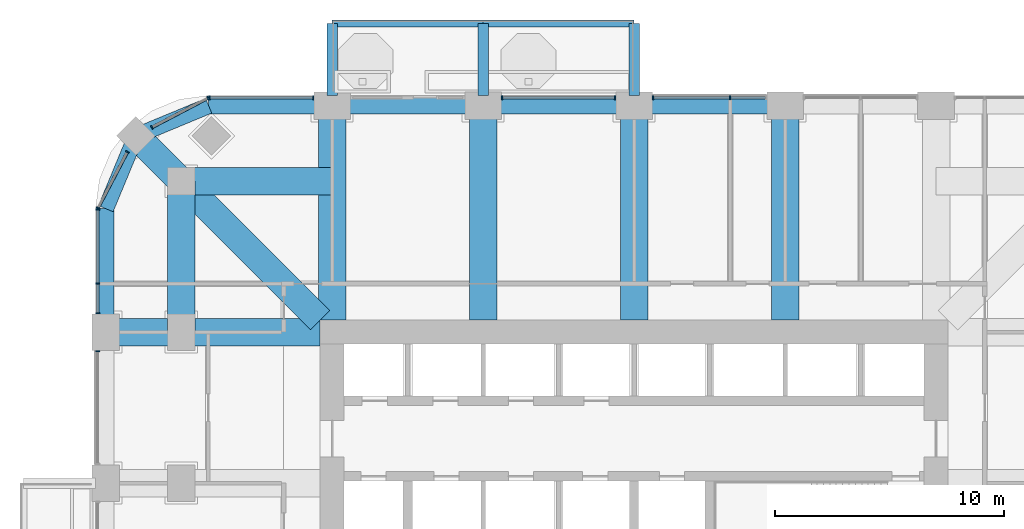
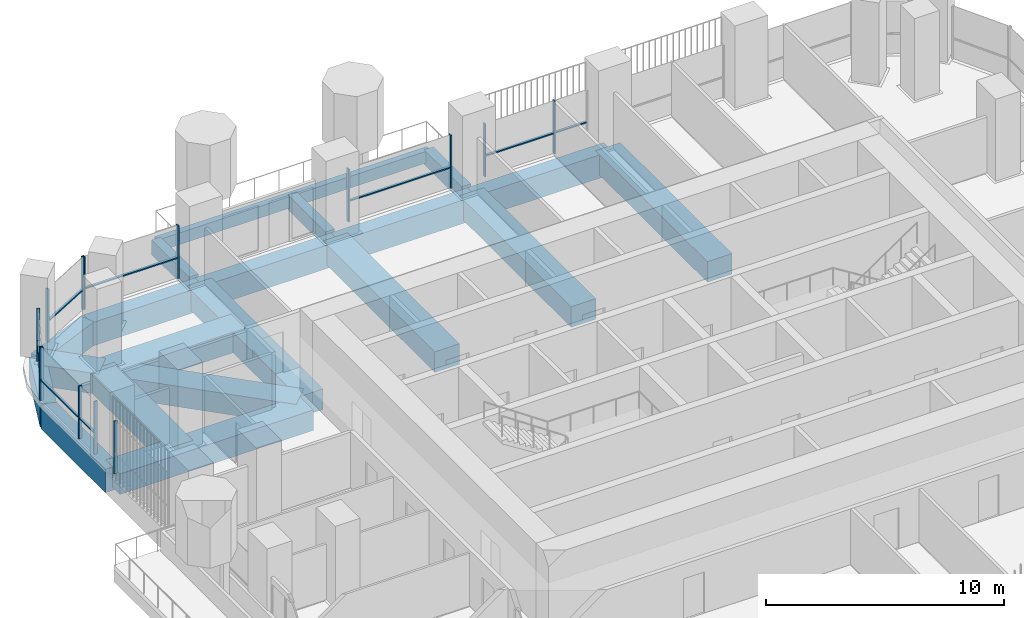
# One storey, part 6 of 20: 22 members, 21 beams, 7 elements without a shape of their own.
"""IFC4 building model written with IfcOpenShell, lengths in metres."""

import ifcopenshell
import ifcopenshell.guid

model = None  # the IFC model being written
_history = None  # IfcOwnerHistory: only IFC2X3 demands one
_inside = {}  # id of a spatial element -> (the spatial element, [elements in it])
_under = {}  # id of a project, library or spatial element -> (it, [spatial elements below it])
_declared = {}  # id of a project -> (the project, [libraries it declares])
_typed = {}  # id of a type object -> (the type object, [elements of that type])
_made_of = {}  # id of a material, layer set ... -> (it, [elements and type objects made of it])


def new_model(schema):
    """Start an empty IFC model of exactly this schema.

    Asked for "IFC4X3", IfcOpenShell would pick the latest addendum, in which some entities
    have other attributes; the version numbers below select the first issue.
    IFC2X3 requires an IfcOwnerHistory on every rooted entity: one is made here for all.
    """
    global model, _history
    if schema == "IFC4X3":
        model = ifcopenshell.file(schema_version=(4, 3, 0, 0))
    else:
        model = ifcopenshell.file(schema=schema)
    _inside.clear()
    _under.clear()
    _declared.clear()
    _typed.clear()
    _made_of.clear()
    _history = None
    if model.schema == "IFC2X3":
        org = make("IfcOrganization", Name="unknown")
        user = make(
            "IfcPersonAndOrganization",
            ThePerson=make("IfcPerson", FamilyName="unknown"),
            TheOrganization=org,
        )
        app = make(
            "IfcApplication",
            ApplicationDeveloper=org,
            Version="unknown",
            ApplicationFullName="unknown",
            ApplicationIdentifier="unknown",
        )
        _history = make(
            "IfcOwnerHistory",
            OwningUser=user,
            OwningApplication=app,
            ChangeAction="ADDED",
            CreationDate=0,
        )
    return model


def make(cls, **values):
    """One entity of the class cls with the attributes given. An attribute that is None is left unset."""
    return model.create_entity(
        cls, **{name: value for name, value in values.items() if value is not None}
    )


def rooted(cls, **values):
    """An entity with a GlobalId (a new one), such as an element, a storey or a relation."""
    return make(cls, GlobalId=ifcopenshell.guid.new(), OwnerHistory=_history, **values)


def si_unit(unit_type, name, prefix=None):
    """IfcSIUnit, for example si_unit("LENGTHUNIT", "METRE", prefix="MILLI")."""
    return make("IfcSIUnit", UnitType=unit_type, Prefix=prefix, Name=name)


def assignment(units):
    """IfcUnitAssignment: the units of a project."""
    return None if units is None else make("IfcUnitAssignment", Units=units)


def point(xyz):
    """IfcCartesianPoint."""
    return None if xyz is None else make("IfcCartesianPoint", Coordinates=xyz)


def direction(xyz):
    """IfcDirection."""
    return None if xyz is None else make("IfcDirection", DirectionRatios=xyz)


def frame(location, z_axis=None, x_axis=None):
    """IfcAxis2Placement3D, a coordinate frame: its origin and axes. An axis left out is left unset."""
    return make(
        "IfcAxis2Placement3D",
        Location=point(location),
        Axis=direction(z_axis),
        RefDirection=direction(x_axis),
    )


def frame_2d(location, x_axis=None):
    """IfcAxis2Placement2D, a coordinate frame in the plane: its origin and x axis."""
    return make(
        "IfcAxis2Placement2D", Location=point(location), RefDirection=direction(x_axis)
    )


def origin():
    """The frame at (0, 0, 0) with its axes left unset."""
    return frame((0.0, 0.0, 0.0))


def origin_2d():
    """The frame at (0, 0) in the plane with its x axis left unset."""
    return frame_2d((0.0, 0.0))


def place(relative_to, where):
    """IfcLocalPlacement: puts the frame where relative to a parent placement (None: the world)."""
    return make(
        "IfcLocalPlacement", PlacementRelTo=relative_to, RelativePlacement=where
    )


def context(
    kind, dimensions, precision=None, world=None, true_north=None, identifier=None
):
    """IfcGeometricRepresentationContext, for example the 3D "Model" context."""
    return make(
        "IfcGeometricRepresentationContext",
        ContextIdentifier=identifier,
        ContextType=kind,
        CoordinateSpaceDimension=dimensions,
        Precision=precision,
        WorldCoordinateSystem=world,
        TrueNorth=true_north,
    )


def subcontext(parent, identifier, kind, view, scale=None):
    """IfcGeometricRepresentationSubContext, for example "Body" below "Model"."""
    return make(
        "IfcGeometricRepresentationSubContext",
        ContextIdentifier=identifier,
        ContextType=kind,
        ParentContext=parent,
        TargetScale=scale,
        TargetView=view,
    )


def project(units=None, contexts=None):
    """IfcProject with its units and contexts."""
    return rooted(
        "IfcProject",
        Name="project",
        RepresentationContexts=contexts,
        UnitsInContext=assignment(units),
    )


def spatial(cls, under=None, at=None, **own):
    """A site, building, storey or space (cls), placed at a placement, below another one or the project."""
    s = rooted(cls, ObjectPlacement=at, **own)
    if under is not None:
        _under.setdefault(under.id(), (under, []))[1].append(s)
    return s


def profile(cls, at=None, kind="AREA", **sizes):
    """A parametric profile (cls). Its sizes go by their IFC names, for example OverallWidth=200.0."""
    return make(cls, ProfileType=kind, Position=at, **sizes)


def rectangle(**sizes):
    """IfcRectangleProfileDef."""
    return profile("IfcRectangleProfileDef", **sizes)


def extrude(swept, where, along, depth):
    """IfcExtrudedAreaSolid: the profile swept, set in the frame where, extruded along a direction by depth."""
    return make(
        "IfcExtrudedAreaSolid",
        SweptArea=swept,
        Position=where,
        ExtrudedDirection=direction(along),
        Depth=depth,
    )


def shape(context_of_items, identifier, shape_type, items):
    """IfcShapeRepresentation: the items that make up one representation, for example the "Body"."""
    return make(
        "IfcShapeRepresentation",
        ContextOfItems=context_of_items,
        RepresentationIdentifier=identifier,
        RepresentationType=shape_type,
        Items=items,
    )


def material(Name=None, Category=None):
    """IfcMaterial."""
    return make("IfcMaterial", Name=Name, Category=Category)


def material_profile(
    of_material, cross_section, Name=None, Category=None, Priority=None
):
    """IfcMaterialProfile: a cross section and its material."""
    return make(
        "IfcMaterialProfile",
        Name=Name,
        Material=of_material,
        Profile=cross_section,
        Priority=Priority,
        Category=Category,
    )


def profile_set(profiles, Name=None, composite=None):
    """IfcMaterialProfileSet."""
    return make(
        "IfcMaterialProfileSet",
        Name=Name,
        MaterialProfiles=profiles,
        CompositeProfile=composite,
    )


def made_of(thing, what):
    """Note that an element or type object is made of a material, layer set ...; save() writes the relation."""
    if what is not None:
        _made_of.setdefault(what.id(), (what, []))[1].append(thing)
    return thing


def type_object(cls, material=None, **own):
    """A type object (cls), such as IfcWallType, which elements share."""
    return made_of(rooted(cls, **own), material)


def element(
    cls,
    number,
    at=None,
    inside=None,
    cuts=None,
    type_object=None,
    material=None,
    context=None,
    identifier="Body",
    shape_type=None,
    held_by="IfcProductDefinitionShape",
    body=None,
    shapes=None,
    **own,
):
    """One element of the class cls, such as IfcWall. Its Tag is "e" and its number.

    at: its placement. inside: the storey or other place that contains it. cuts: it is an
    opening in that element (IfcRelVoidsElement). A single representation is given by context,
    identifier, shape_type and body (its items); several are given by shapes. held_by: the class
    of the entity that holds the representations. save() writes the other relations.
    """
    e = rooted(cls, Tag="e%d" % number, ObjectPlacement=at, **own)
    if body is not None:
        shapes = [shape(context, identifier, shape_type, body)]
    if shapes is not None:
        e.Representation = make(held_by, Representations=shapes)
    if inside is not None:
        _inside.setdefault(inside.id(), (inside, []))[1].append(e)
    if cuts is not None:
        rooted(
            "IfcRelVoidsElement", RelatingBuildingElement=cuts, RelatedOpeningElement=e
        )
    if type_object is not None:
        _typed.setdefault(type_object.id(), (type_object, []))[1].append(e)
    return made_of(e, material)


def aggregate(whole, parts):
    """IfcRelAggregates: a whole, such as a stair, and the parts it consists of."""
    return rooted("IfcRelAggregates", RelatingObject=whole, RelatedObjects=parts)


def save(model, path):
    """Write the relations noted so far, then the file.

    IfcRelAggregates (storeys below a building ...), IfcRelContainedInSpatialStructure (elements
    in a storey), IfcRelDefinesByType, IfcRelAssociatesMaterial and IfcRelDeclares: one each for
    every whole, place, type object, material and project.
    """
    for whole, parts in _under.values():
        aggregate(whole, parts)
    for where, things in _inside.values():
        rooted(
            "IfcRelContainedInSpatialStructure",
            RelatedElements=things,
            RelatingStructure=where,
        )
    for kind, things in _typed.values():
        rooted("IfcRelDefinesByType", RelatedObjects=things, RelatingType=kind)
    for what, things in _made_of.values():
        rooted("IfcRelAssociatesMaterial", RelatedObjects=things, RelatingMaterial=what)
    for by, libraries in _declared.values():
        rooted("IfcRelDeclares", RelatingContext=by, RelatedDefinitions=libraries)
    model.write(path)


model = new_model("IFC4")

# Units and contexts
model_context = context("Model", 3, precision=1e-05, world=origin(), true_north=direction((0.0, 1.0)))
body_context = subcontext(model_context, "Body", "Model", "MODEL_VIEW")
ifc_project = project(units=[si_unit("LENGTHUNIT", "METRE"), si_unit("AREAUNIT", "SQUARE_METRE"), si_unit("VOLUMEUNIT", "CUBIC_METRE"), si_unit("PLANEANGLEUNIT", "RADIAN"), si_unit("MASSUNIT", "GRAM", prefix="KILO")], contexts=[model_context])

# Site, building, storey
site_placement = place(None, origin())
site = spatial("IfcSite", under=ifc_project, at=site_placement, CompositionType="ELEMENT")
building_placement = place(site_placement, origin())
building = spatial("IfcBuilding", under=site, at=building_placement, Name="Cobogo Forest Laboratory Tower", CompositionType="ELEMENT")
storey_placement = place(building_placement, frame((0.0, 0.0, 168.300048828125)))
storey = spatial("IfcBuildingStorey", under=building, at=storey_placement, Name="L38", CompositionType="ELEMENT", Elevation=168.300048828125)

# Beams
ifc_material_1 = material(Name="Concrete HA-40 (C40/50)", Category="concrete")
ifc_material_profile_1 = material_profile(ifc_material_1, rectangle(XDim=0.449951171875, YDim=0.75, at=origin_2d()), Name="RC 450x750")
ifc_profile_set_1 = profile_set([ifc_material_profile_1], Name="Concrete HA-40 (C40/50)")
beam_type_1 = type_object("IfcBeamType", Name="Balcony cantilever beam 450x750", PredefinedType="BEAM", material=ifc_profile_set_1)
for number, where, z_axis, x_axis, name in (
    (1, (13.199951171875, 43.35009765625, -0.625), (0.0, 1.0, 0.0), (-1.0, 0.0, 0.0), "CB1 BAL-N1-C1 L38"),
    (2, (19.800048828125, 43.35009765625, -0.625), (0.0, 1.0, 0.0), (-1.0, 0.0, 0.0), "CB1 BAL-N1-C2 L38"),
    (3, (26.39990234375, 43.35009765625, -0.625), (0.0, 1.0, 0.0), (-1.0, 0.0, 0.0), "CB1 BAL-N1-C3 L38"),
):
    element("IfcBeam", number, at=place(storey_placement, frame(where, z_axis=z_axis, x_axis=x_axis)), inside=storey, type_object=beam_type_1, Name=name, PredefinedType="BEAM", context=body_context, shape_type="SweptSolid", body=[
        extrude(rectangle(XDim=0.449951171875, YDim=0.75, at=origin_2d()), origin(), (0.0, 0.0, 1.0), 3.14990234375),
    ])
ifc_material_profile_2 = material_profile(ifc_material_1, rectangle(XDim=0.300048828125, YDim=0.60009765625, at=origin_2d()), Name="RC 300x600")
ifc_profile_set_2 = profile_set([ifc_material_profile_2], Name="Concrete HA-40 (C40/50)")
beam_type_2 = type_object("IfcBeamType", Name="Balcony edge beam 300x600", PredefinedType="BEAM", material=ifc_profile_set_2)
beam_1_placement = place(storey_placement, frame((13.199951171875, 46.5, -0.550048828125), z_axis=(1.0, 0.0, 0.0), x_axis=(0.0, 1.0, 0.0)))
element("IfcBeam", 4, at=beam_1_placement, inside=storey, type_object=beam_type_2, Name="BB1 BAL-N1-T1 L38", PredefinedType="BEAM", context=body_context, shape_type="SweptSolid", body=[
    extrude(rectangle(XDim=0.300048828125, YDim=0.60009765625, at=origin_2d()), origin(), (0.0, 0.0, 1.0), 6.60009765625),
])
beam_2_placement = place(storey_placement, frame((19.800048828125, 46.5, -0.550048828125), z_axis=(1.0, 0.0, 0.0), x_axis=(0.0, 1.0, 0.0)))
element("IfcBeam", 5, at=beam_2_placement, inside=storey, type_object=beam_type_2, Name="BB1 BAL-N1-T2 L38", PredefinedType="BEAM", context=body_context, shape_type="SweptSolid", body=[
    extrude(rectangle(XDim=0.300048828125, YDim=0.60009765625, at=origin_2d()), origin(), (0.0, 0.0, 1.0), 6.599853515625),
])
ifc_material_profile_3 = material_profile(ifc_material_1, rectangle(XDim=1.199951171875, YDim=1.050048828125, at=origin_2d()), Name="RC 1200x1050")
ifc_profile_set_3 = profile_set([ifc_material_profile_3], Name="Concrete HA-40 (C40/50)")
beam_type_3 = type_object("IfcBeamType", Name="Laboratory floor wide beam 1200x1050", PredefinedType="BEAM", material=ifc_profile_set_3)
for number, where, z_axis, x_axis, name in (
    (6, (13.199951171875, 33.52490234375, -0.824951171875), (0.0, 1.0, 0.0), (-1.0, 0.0, 0.0), "RB1 R-3-N L38"),
    (7, (19.800048828125, 33.52490234375, -0.824951171875), (0.0, 1.0, 0.0), (-1.0, 0.0, 0.0), "RB1 R-4-N L38"),
    (8, (26.39990234375, 33.52490234375, -0.824951171875), (0.0, 1.0, 0.0), (-1.0, 0.0, 0.0), "RB1 R-5-N L38"),
    (9, (33.0, 33.52490234375, -0.824951171875), (0.0, 1.0, 0.0), (-1.0, 0.0, 0.0), "RB1 R-6-N L38"),
    (10, (12.675048828125, 33.0, -0.824951171875), (-1.0, 0.0, 0.0), (0.0, -1.0, 0.0), "RB1 R-F-W L38"),
):
    element("IfcBeam", number, at=place(storey_placement, frame(where, z_axis=z_axis, x_axis=x_axis)), inside=storey, type_object=beam_type_3, Name=name, PredefinedType="BEAM", context=body_context, shape_type="SweptSolid", body=[
        extrude(rectangle(XDim=1.199951171875, YDim=1.050048828125, at=origin_2d()), origin(), (0.0, 0.0, 1.0), 9.375),
    ])
beam_3_placement = place(storey_placement, frame((6.60009765625, 39.60009765625, -0.824951171875), z_axis=(0.0, -1.0, 0.0), x_axis=(1.0, 0.0, 0.0)))
element("IfcBeam", 11, at=beam_3_placement, inside=storey, type_object=beam_type_3, Name="RB1 G-NW-XC L38", PredefinedType="BEAM", context=body_context, shape_type="SweptSolid", body=[
    extrude(rectangle(XDim=1.199951171875, YDim=1.050048828125, at=origin_2d()), origin(), (0.0, 0.0, 1.0), 6.60009765625),
])
beam_4_placement = place(storey_placement, frame((6.60009765625, 39.60009765625, -0.824951171875), z_axis=(1.0, 0.0, 0.0), x_axis=(0.0, 1.0, 0.0)))
element("IfcBeam", 12, at=beam_4_placement, inside=storey, type_object=beam_type_3, Name="RB1 G-NW-YC L38", PredefinedType="BEAM", context=body_context, shape_type="SweptSolid", body=[
    extrude(rectangle(XDim=1.199951171875, YDim=1.050048828125, at=origin_2d()), origin(), (0.0, 0.0, 1.0), 6.599853515625),
])
beam_5_placement = place(storey_placement, frame((4.617919921875, 41.58203125, -0.824951171875), z_axis=(0.707150328948, -0.707063230743, 0.0), x_axis=(0.707063230743, 0.707150328948, 0.0)))
element("IfcBeam", 13, at=beam_5_placement, inside=storey, type_object=beam_type_3, Name="RB1 G-NW-D1 L38", PredefinedType="BEAM", context=body_context, shape_type="SweptSolid", body=[
    extrude(rectangle(XDim=1.199951171875, YDim=1.050048828125, at=origin_2d()), origin(), (0.0, 0.0, 1.0), 2.802978515625),
])
beam_6_placement = place(storey_placement, frame((6.60009765625, 39.60009765625, -0.824951171875), z_axis=(0.707092572697, -0.70712098939, 0.0), x_axis=(0.70712098939, 0.707092572697, 0.0)))
element("IfcBeam", 14, at=beam_6_placement, inside=storey, type_object=beam_type_3, Name="RB1 G-NW-D2 L38", PredefinedType="BEAM", context=body_context, shape_type="SweptSolid", body=[
    extrude(rectangle(XDim=1.199951171875, YDim=1.050048828125, at=origin_2d()), origin(), (0.0, 0.0, 1.0), 8.591552734375),
])

# Curtain wall, members
ifc_material_2 = material(Name="Aluminium curtain wall", Category="aluminium")
curtain_wall_type = type_object("IfcCurtainWallType", Name="CW-2 unitised curtain wall, solar control glazing, laboratory floors zones C and D", PredefinedType="USERDEFINED", material=ifc_material_2)
curtain_wall_1_placement = place(storey_placement, origin())
curtain_wall_1 = element("IfcCurtainWall", 15, at=curtain_wall_1_placement, inside=storey, type_object=curtain_wall_type, Name="Curtain wall 18 L38", ObjectType="UNITISED CURTAIN WALL", PredefinedType="USERDEFINED")
ifc_material_3 = material(Name="Aluminium mullion", Category="aluminium")
ifc_material_profile_4 = material_profile(ifc_material_3, rectangle(XDim=0.06005859375, YDim=0.159912109375, at=origin_2d()), Name="AL 60x160")
ifc_profile_set_4 = profile_set([ifc_material_profile_4], Name="Aluminium mullion")
member_type_1 = type_object("IfcMemberType", Name="MU-1 aluminium mullion 60x160", PredefinedType="MULLION", material=ifc_profile_set_4)
member_1_placement = place(storey_placement, frame((30.60009765625, 43.25, 0.0), z_axis=(0.0, 0.0, 1.0), x_axis=(-1.0, 0.0, 0.0)))
member_1 = element("IfcMember", 16, at=member_1_placement, type_object=member_type_1, Name="CW-2 mullion 2", PredefinedType="MULLION", context=body_context, shape_type="SweptSolid", body=[
    extrude(rectangle(XDim=0.06005859375, YDim=0.159912109375, at=origin_2d()), origin(), (0.0, 0.0, 1.0), 2.699951171875),
])
member_2_placement = place(storey_placement, frame((27.22998046875, 43.25, 0.0), z_axis=(0.0, 0.0, 1.0), x_axis=(-1.0, 0.0, 0.0)))
member_2 = element("IfcMember", 17, at=member_2_placement, type_object=member_type_1, Name="CW-2 mullion 3", PredefinedType="MULLION", context=body_context, shape_type="SweptSolid", body=[
    extrude(rectangle(XDim=0.06005859375, YDim=0.159912109375, at=origin_2d()), origin(), (0.0, 0.0, 1.0), 2.699951171875),
])

curtain_wall_2_placement = place(storey_placement, origin())
curtain_wall_2 = element("IfcCurtainWall", 18, at=curtain_wall_2_placement, inside=storey, type_object=curtain_wall_type, Name="Curtain wall 19 L38", ObjectType="UNITISED CURTAIN WALL", PredefinedType="USERDEFINED")
member_3_placement = place(storey_placement, frame((25.570068359375, 43.25, 0.0), z_axis=(0.0, 0.0, 1.0), x_axis=(-1.0, 0.0, 0.0)))
member_3 = element("IfcMember", 19, at=member_3_placement, type_object=member_type_1, Name="CW-2 mullion 1", PredefinedType="MULLION", context=body_context, shape_type="SweptSolid", body=[
    extrude(rectangle(XDim=0.06005859375, YDim=0.159912109375, at=origin_2d()), origin(), (0.0, 0.0, 1.0), 2.699951171875),
])
member_4_placement = place(storey_placement, frame((20.6298828125, 43.25, 0.0), z_axis=(0.0, 0.0, 1.0), x_axis=(-1.0, 0.0, 0.0)))
member_4 = element("IfcMember", 20, at=member_4_placement, type_object=member_type_1, Name="CW-2 mullion 2", PredefinedType="MULLION", context=body_context, shape_type="SweptSolid", body=[
    extrude(rectangle(XDim=0.06005859375, YDim=0.159912109375, at=origin_2d()), origin(), (0.0, 0.0, 1.0), 2.699951171875),
])

curtain_wall_3_placement = place(storey_placement, origin())
curtain_wall_3 = element("IfcCurtainWall", 21, at=curtain_wall_3_placement, inside=storey, type_object=curtain_wall_type, Name="Curtain wall 21 L38", ObjectType="UNITISED CURTAIN WALL", PredefinedType="USERDEFINED")
member_5_placement = place(storey_placement, frame((12.3701171875, 43.25, 0.0), z_axis=(0.0, 0.0, 1.0), x_axis=(-1.0, 0.0, 0.0)))
member_5 = element("IfcMember", 22, at=member_5_placement, type_object=member_type_1, Name="CW-2 mullion 1", PredefinedType="MULLION", context=body_context, shape_type="SweptSolid", body=[
    extrude(rectangle(XDim=0.06005859375, YDim=0.159912109375, at=origin_2d()), origin(), (0.0, 0.0, 1.0), 2.699951171875),
])
member_6_placement = place(storey_placement, frame((7.830078125, 43.25, 0.0), z_axis=(0.0, 0.0, 1.0), x_axis=(-1.0, 0.0, 0.0)))
member_6 = element("IfcMember", 23, at=member_6_placement, type_object=member_type_1, Name="CW-2 mullion 2", PredefinedType="MULLION", context=body_context, shape_type="SweptSolid", body=[
    extrude(rectangle(XDim=0.06005859375, YDim=0.159912109375, at=origin_2d()), origin(), (0.0, 0.0, 1.0), 2.699951171875),
])

curtain_wall_4_placement = place(storey_placement, origin())
curtain_wall_4 = element("IfcCurtainWall", 24, at=curtain_wall_4_placement, inside=storey, type_object=curtain_wall_type, Name="Curtain wall 22 L38", ObjectType="UNITISED CURTAIN WALL", PredefinedType="USERDEFINED")
member_7_placement = place(storey_placement, frame((7.7734375, 43.236083984375, 0.0), z_axis=(0.0, 0.0, 1.0), x_axis=(-0.885686477022, -0.464283818822, 0.0)))
member_7 = element("IfcMember", 25, at=member_7_placement, type_object=member_type_1, Name="CW-2 mullion 1", PredefinedType="MULLION", context=body_context, shape_type="SweptSolid", body=[
    extrude(rectangle(XDim=0.06005859375, YDim=0.159912109375, at=origin_2d()), origin(), (0.0, 0.0, 1.0), 2.699951171875),
])
member_8_placement = place(storey_placement, frame((5.322021484375, 41.950927734375, 0.0), z_axis=(0.0, 0.0, 1.0), x_axis=(-0.885686477022, -0.464283818822, 0.0)))
member_8 = element("IfcMember", 26, at=member_8_placement, type_object=member_type_1, Name="CW-2 mullion 2", PredefinedType="MULLION", context=body_context, shape_type="SweptSolid", body=[
    extrude(rectangle(XDim=0.06005859375, YDim=0.159912109375, at=origin_2d()), origin(), (0.0, 0.0, 1.0), 2.699951171875),
])

curtain_wall_5_placement = place(storey_placement, origin())
curtain_wall_5 = element("IfcCurtainWall", 27, at=curtain_wall_5_placement, inside=storey, type_object=curtain_wall_type, Name="Curtain wall 23 L38", ObjectType="UNITISED CURTAIN WALL", PredefinedType="USERDEFINED")
member_9_placement = place(storey_placement, frame((4.2490234375, 40.878173828125, 0.0), z_axis=(0.0, 0.0, 1.0), x_axis=(-0.464283818822, -0.885686477022, 0.0)))
member_9 = element("IfcMember", 28, at=member_9_placement, type_object=member_type_1, Name="CW-2 mullion 1", PredefinedType="MULLION", context=body_context, shape_type="SweptSolid", body=[
    extrude(rectangle(XDim=0.06005859375, YDim=0.159912109375, at=origin_2d()), origin(), (0.0, 0.0, 1.0), 2.699951171875),
])
member_10_placement = place(storey_placement, frame((2.9638671875, 38.426513671875, 0.0), z_axis=(0.0, 0.0, 1.0), x_axis=(-0.464283818822, -0.885686477022, 0.0)))
member_10 = element("IfcMember", 29, at=member_10_placement, type_object=member_type_1, Name="CW-2 mullion 2", PredefinedType="MULLION", context=body_context, shape_type="SweptSolid", body=[
    extrude(rectangle(XDim=0.06005859375, YDim=0.159912109375, at=origin_2d()), origin(), (0.0, 0.0, 1.0), 2.699951171875),
])

curtain_wall_6_placement = place(storey_placement, origin())
curtain_wall_6 = element("IfcCurtainWall", 30, at=curtain_wall_6_placement, inside=storey, type_object=curtain_wall_type, Name="Curtain wall 24 L38", ObjectType="UNITISED CURTAIN WALL", PredefinedType="USERDEFINED")
member_11_placement = place(storey_placement, frame((2.949951171875, 38.3701171875, 0.0), z_axis=(0.0, 0.0, 1.0), x_axis=(0.0, -1.0, 0.0)))
member_11 = element("IfcMember", 31, at=member_11_placement, type_object=member_type_1, Name="CW-2 mullion 1", PredefinedType="MULLION", context=body_context, shape_type="SweptSolid", body=[
    extrude(rectangle(XDim=0.06005859375, YDim=0.159912109375, at=origin_2d()), origin(), (0.0, 0.0, 1.0), 2.699951171875),
])
member_12_placement = place(storey_placement, frame((2.949951171875, 35.125, 0.0), z_axis=(0.0, 0.0, 1.0), x_axis=(0.0, -1.0, 0.0)))
member_12 = element("IfcMember", 32, at=member_12_placement, type_object=member_type_1, Name="CW-2 mullion 2", PredefinedType="MULLION", context=body_context, shape_type="SweptSolid", body=[
    extrude(rectangle(XDim=0.06005859375, YDim=0.159912109375, at=origin_2d()), origin(), (0.0, 0.0, 1.0), 2.699951171875),
])
member_13_placement = place(storey_placement, frame((2.949951171875, 33.830078125, 0.0), z_axis=(0.0, 0.0, 1.0), x_axis=(0.0, -1.0, 0.0)))
member_13 = element("IfcMember", 33, at=member_13_placement, type_object=member_type_1, Name="CW-2 mullion 3", PredefinedType="MULLION", context=body_context, shape_type="SweptSolid", body=[
    extrude(rectangle(XDim=0.06005859375, YDim=0.159912109375, at=origin_2d()), origin(), (0.0, 0.0, 1.0), 2.699951171875),
])

# Curtain wall, member
curtain_wall_7_placement = place(storey_placement, origin())
curtain_wall_7 = element("IfcCurtainWall", 34, at=curtain_wall_7_placement, inside=storey, type_object=curtain_wall_type, Name="Curtain wall 25 L38", ObjectType="UNITISED CURTAIN WALL", PredefinedType="USERDEFINED")
member_14_placement = place(storey_placement, frame((2.949951171875, 32.169921875, 0.0), z_axis=(0.0, 0.0, 1.0), x_axis=(0.0, -1.0, 0.0)))
member_14 = element("IfcMember", 35, at=member_14_placement, type_object=member_type_1, Name="CW-2 mullion 1", PredefinedType="MULLION", context=body_context, shape_type="SweptSolid", body=[
    extrude(rectangle(XDim=0.06005859375, YDim=0.159912109375, at=origin_2d()), origin(), (0.0, 0.0, 1.0), 2.699951171875),
])
aggregate(curtain_wall_7, [member_14])

# Beams
ifc_material_profile_5 = material_profile(ifc_material_1, rectangle(XDim=0.699951171875, YDim=1.199951171875, at=origin_2d()), Name="RC 700x1200")
ifc_profile_set_5 = profile_set([ifc_material_profile_5], Name="Concrete HA-40 (C40/50)")
beam_type_4 = type_object("IfcBeamType", Name="Perimeter edge beam 700x1200", PredefinedType="BEAM", material=ifc_profile_set_5)
beam_7_placement = place(storey_placement, frame((13.199951171875, 42.89990234375, -0.900146484375), z_axis=(1.0, 0.0, 0.0), x_axis=(0.0, 1.0, 0.0)))
element("IfcBeam", 36, at=beam_7_placement, inside=storey, type_object=beam_type_4, Name="EB1 E-N1 L38", PredefinedType="BEAM", context=body_context, shape_type="SweptSolid", body=[
    extrude(rectangle(XDim=0.699951171875, YDim=1.199951171875, at=origin_2d()), origin(), (0.0, 0.0, 1.0), 6.60009765625),
])
beam_8_placement = place(storey_placement, frame((19.800048828125, 42.89990234375, -0.900146484375), z_axis=(1.0, 0.0, 0.0), x_axis=(0.0, 1.0, 0.0)))
element("IfcBeam", 37, at=beam_8_placement, inside=storey, type_object=beam_type_4, Name="EB1 E-N2 L38", PredefinedType="BEAM", context=body_context, shape_type="SweptSolid", body=[
    extrude(rectangle(XDim=0.699951171875, YDim=1.199951171875, at=origin_2d()), origin(), (0.0, 0.0, 1.0), 6.599853515625),
])
beam_9_placement = place(storey_placement, frame((26.39990234375, 42.89990234375, -0.900146484375), z_axis=(1.0, 0.0, 0.0), x_axis=(0.0, 1.0, 0.0)))
element("IfcBeam", 38, at=beam_9_placement, inside=storey, type_object=beam_type_4, Name="EB1 E-N3 L38", PredefinedType="BEAM", context=body_context, shape_type="SweptSolid", body=[
    extrude(rectangle(XDim=0.699951171875, YDim=1.199951171875, at=origin_2d()), origin(), (0.0, 0.0, 1.0), 6.60009765625),
])
beam_10_placement = place(storey_placement, frame((13.199951171875, 42.89990234375, -0.900146484375), z_axis=(-1.0, 0.0, 0.0), x_axis=(0.0, -1.0, 0.0)))
element("IfcBeam", 39, at=beam_10_placement, inside=storey, type_object=beam_type_4, Name="EB1 E-NWN1 L38", PredefinedType="BEAM", context=body_context, shape_type="SweptSolid", body=[
    extrude(rectangle(XDim=0.699951171875, YDim=1.199951171875, at=origin_2d()), origin(), (0.0, 0.0, 1.0), 5.39990234375),
])
beam_11_placement = place(storey_placement, frame((7.800048828125, 42.89990234375, -0.900146484375), z_axis=(-0.923901072997, -0.382631424892, 0.0), x_axis=(0.382631424892, -0.923901072997, 0.0)))
element("IfcBeam", 40, at=beam_11_placement, inside=storey, type_object=beam_type_4, Name="EB1 E-NWN2 L38", PredefinedType="BEAM", context=body_context, shape_type="SweptSolid", body=[
    extrude(rectangle(XDim=0.699951171875, YDim=1.199951171875, at=origin_2d()), origin(), (0.0, 0.0, 1.0), 3.4443359375),
])
beam_12_placement = place(storey_placement, frame((3.300048828125, 33.0, -0.900146484375), z_axis=(0.0, 1.0, 0.0), x_axis=(-1.0, 0.0, 0.0)))
element("IfcBeam", 41, at=beam_12_placement, inside=storey, type_object=beam_type_4, Name="EB1 E-NWW1 L38", PredefinedType="BEAM", context=body_context, shape_type="SweptSolid", body=[
    extrude(rectangle(XDim=0.699951171875, YDim=1.199951171875, at=origin_2d()), origin(), (0.0, 0.0, 1.0), 5.39990234375),
])
beam_13_placement = place(storey_placement, frame((3.300048828125, 38.39990234375, -0.900146484375), z_axis=(0.382631424892, 0.923901072997, 0.0), x_axis=(-0.923901072997, 0.382631424892, 0.0)))
element("IfcBeam", 42, at=beam_13_placement, inside=storey, type_object=beam_type_4, Name="EB1 E-NWW2 L38", PredefinedType="BEAM", context=body_context, shape_type="SweptSolid", body=[
    extrude(rectangle(XDim=0.699951171875, YDim=1.199951171875, at=origin_2d()), origin(), (0.0, 0.0, 1.0), 3.4443359375),
])

# Member
ifc_material_4 = material(Name="Aluminium transom", Category="aluminium")
ifc_material_profile_6 = material_profile(ifc_material_4, rectangle(XDim=0.1201171875, YDim=0.06005859375, at=origin_2d()), Name="AL 60x120")
ifc_profile_set_6 = profile_set([ifc_material_profile_6], Name="Aluminium transom")
member_type_2 = type_object("IfcMemberType", Name="TR-1 aluminium transom 60x120", PredefinedType="USERDEFINED", material=ifc_profile_set_6)
member_15_placement = place(storey_placement, frame((32.139892578125, 43.25, 1.050048828125), z_axis=(-1.0, 0.0, 0.0), x_axis=(0.0, -1.0, 0.0)))
member_15 = element("IfcMember", 43, at=member_15_placement, type_object=member_type_2, Name="CW-2 transom 1.1", ObjectType="TRANSOM", PredefinedType="USERDEFINED", context=body_context, shape_type="SweptSolid", body=[
    extrude(rectangle(XDim=0.1201171875, YDim=0.06005859375, at=origin_2d()), origin(), (0.0, 0.0, 1.0), 1.510009765625),
])

member_16_placement = place(storey_placement, frame((30.570068359375, 43.25, 1.050048828125), z_axis=(-1.0, 0.0, 0.0), x_axis=(0.0, -1.0, 0.0)))
member_16 = element("IfcMember", 44, at=member_16_placement, type_object=member_type_2, Name="CW-2 transom 2.1", ObjectType="TRANSOM", PredefinedType="USERDEFINED", context=body_context, shape_type="SweptSolid", body=[
    extrude(rectangle(XDim=0.1201171875, YDim=0.06005859375, at=origin_2d()), origin(), (0.0, 0.0, 1.0), 3.31005859375),
])

aggregate(curtain_wall_1, [member_1, member_2, member_15, member_16])

member_17_placement = place(storey_placement, frame((25.5400390625, 43.25, 1.050048828125), z_axis=(-1.0, 0.0, 0.0), x_axis=(0.0, -1.0, 0.0)))
member_17 = element("IfcMember", 45, at=member_17_placement, type_object=member_type_2, Name="CW-2 transom 1.1", ObjectType="TRANSOM", PredefinedType="USERDEFINED", context=body_context, shape_type="SweptSolid", body=[
    extrude(rectangle(XDim=0.1201171875, YDim=0.06005859375, at=origin_2d()), origin(), (0.0, 0.0, 1.0), 4.880126953125),
])

aggregate(curtain_wall_2, [member_3, member_4, member_17])

member_18_placement = place(storey_placement, frame((12.340087890625, 43.25, 1.050048828125), z_axis=(-1.0, 0.0, 0.0), x_axis=(0.0, -1.0, 0.0)))
member_18 = element("IfcMember", 46, at=member_18_placement, type_object=member_type_2, Name="CW-2 transom 1.1", ObjectType="TRANSOM", PredefinedType="USERDEFINED", context=body_context, shape_type="SweptSolid", body=[
    extrude(rectangle(XDim=0.1201171875, YDim=0.06005859375, at=origin_2d()), origin(), (0.0, 0.0, 1.0), 4.47998046875),
])

aggregate(curtain_wall_3, [member_5, member_6, member_18])

member_19_placement = place(storey_placement, frame((7.746826171875, 43.22216796875, 1.050048828125), z_axis=(-0.885679732847, -0.464296684055, 0.0), x_axis=(0.464296684055, -0.885679732847, 0.0)))
member_19 = element("IfcMember", 47, at=member_19_placement, type_object=member_type_2, Name="CW-2 transom 1.1", ObjectType="TRANSOM", PredefinedType="USERDEFINED", context=body_context, shape_type="SweptSolid", body=[
    extrude(rectangle(XDim=0.1201171875, YDim=0.06005859375, at=origin_2d()), origin(), (0.0, 0.0, 1.0), 2.7080078125),
])

aggregate(curtain_wall_4, [member_7, member_8, member_19])

member_20_placement = place(storey_placement, frame((4.235107421875, 40.8515625, 1.050048828125), z_axis=(-0.464296684055, -0.885679732847, 0.0), x_axis=(0.885679732847, -0.464296684055, 0.0)))
member_20 = element("IfcMember", 48, at=member_20_placement, type_object=member_type_2, Name="CW-2 transom 1.1", ObjectType="TRANSOM", PredefinedType="USERDEFINED", context=body_context, shape_type="SweptSolid", body=[
    extrude(rectangle(XDim=0.1201171875, YDim=0.06005859375, at=origin_2d()), origin(), (0.0, 0.0, 1.0), 2.7080078125),
])

aggregate(curtain_wall_5, [member_9, member_10, member_20])

member_21_placement = place(storey_placement, frame((2.949951171875, 38.340087890625, 1.050048828125), z_axis=(0.0, -1.0, 0.0), x_axis=(1.0, 0.0, 0.0)))
member_21 = element("IfcMember", 49, at=member_21_placement, type_object=member_type_2, Name="CW-2 transom 1.1", ObjectType="TRANSOM", PredefinedType="USERDEFINED", context=body_context, shape_type="SweptSolid", body=[
    extrude(rectangle(XDim=0.1201171875, YDim=0.06005859375, at=origin_2d()), origin(), (0.0, 0.0, 1.0), 3.18505859375),
])

member_22_placement = place(storey_placement, frame((2.949951171875, 35.094970703125, 1.050048828125), z_axis=(0.0, -1.0, 0.0), x_axis=(1.0, 0.0, 0.0)))
member_22 = element("IfcMember", 50, at=member_22_placement, type_object=member_type_2, Name="CW-2 transom 2.1", ObjectType="TRANSOM", PredefinedType="USERDEFINED", context=body_context, shape_type="SweptSolid", body=[
    extrude(rectangle(XDim=0.1201171875, YDim=0.06005859375, at=origin_2d()), origin(), (0.0, 0.0, 1.0), 1.23486328125),
])

aggregate(curtain_wall_6, [member_11, member_12, member_13, member_21, member_22])

save(model, "model.ifc")
